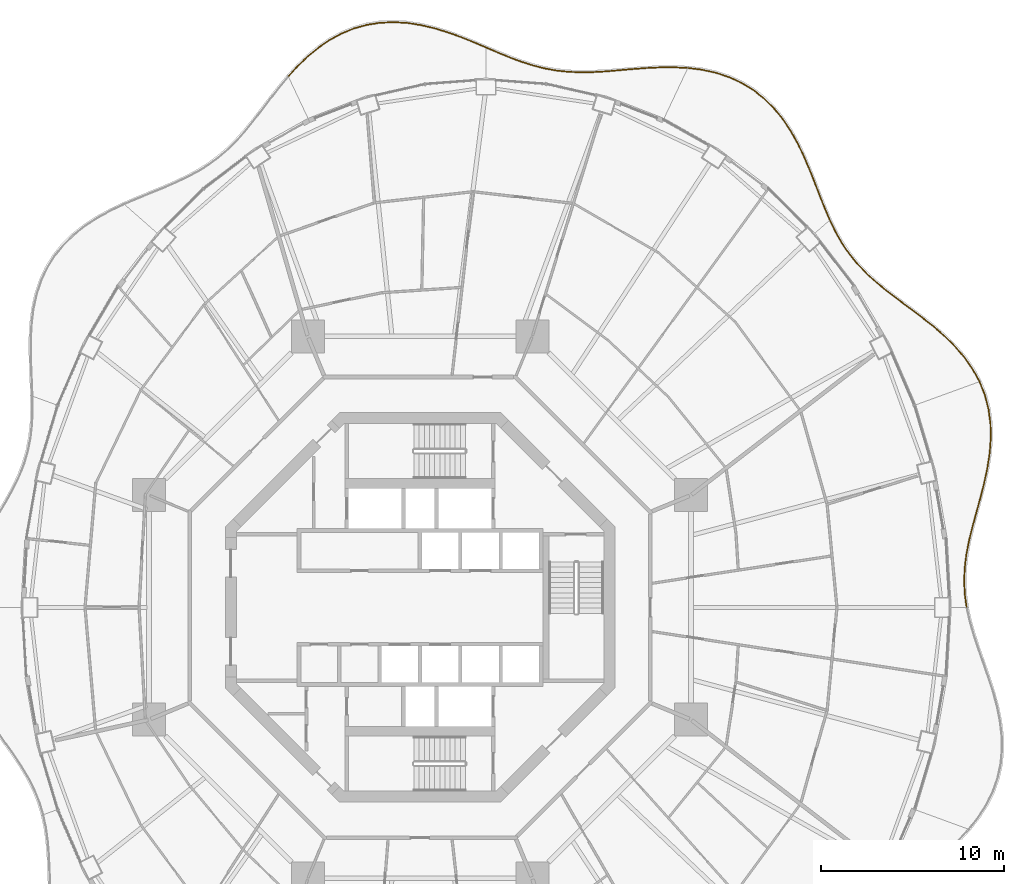
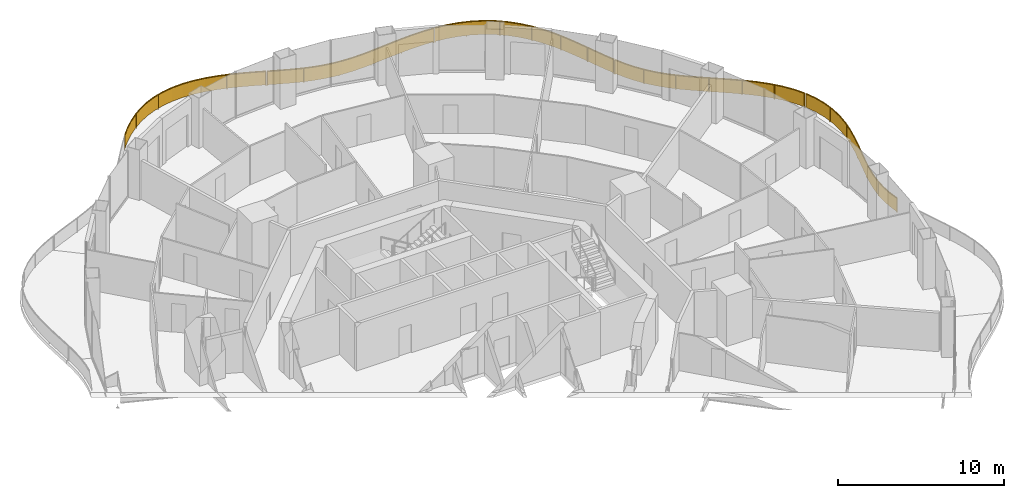
# One storey, part 19 of 19: 5 railings.
"""IFC4 building model written with IfcOpenShell, lengths in metres."""

import ifcopenshell
import ifcopenshell.guid

model = None  # the IFC model being written
_history = None  # IfcOwnerHistory: only IFC2X3 demands one
_inside = {}  # id of a spatial element -> (the spatial element, [elements in it])
_under = {}  # id of a project, library or spatial element -> (it, [spatial elements below it])
_declared = {}  # id of a project -> (the project, [libraries it declares])
_typed = {}  # id of a type object -> (the type object, [elements of that type])
_made_of = {}  # id of a material, layer set ... -> (it, [elements and type objects made of it])


def new_model(schema):
    """Start an empty IFC model of exactly this schema.

    Asked for "IFC4X3", IfcOpenShell would pick the latest addendum, in which some entities
    have other attributes; the version numbers below select the first issue.
    IFC2X3 requires an IfcOwnerHistory on every rooted entity: one is made here for all.
    """
    global model, _history
    if schema == "IFC4X3":
        model = ifcopenshell.file(schema_version=(4, 3, 0, 0))
    else:
        model = ifcopenshell.file(schema=schema)
    _inside.clear()
    _under.clear()
    _declared.clear()
    _typed.clear()
    _made_of.clear()
    _history = None
    if model.schema == "IFC2X3":
        org = make("IfcOrganization", Name="unknown")
        user = make(
            "IfcPersonAndOrganization",
            ThePerson=make("IfcPerson", FamilyName="unknown"),
            TheOrganization=org,
        )
        app = make(
            "IfcApplication",
            ApplicationDeveloper=org,
            Version="unknown",
            ApplicationFullName="unknown",
            ApplicationIdentifier="unknown",
        )
        _history = make(
            "IfcOwnerHistory",
            OwningUser=user,
            OwningApplication=app,
            ChangeAction="ADDED",
            CreationDate=0,
        )
    return model


def make(cls, **values):
    """One entity of the class cls with the attributes given. An attribute that is None is left unset."""
    return model.create_entity(
        cls, **{name: value for name, value in values.items() if value is not None}
    )


def rooted(cls, **values):
    """An entity with a GlobalId (a new one), such as an element, a storey or a relation."""
    return make(cls, GlobalId=ifcopenshell.guid.new(), OwnerHistory=_history, **values)


def si_unit(unit_type, name, prefix=None):
    """IfcSIUnit, for example si_unit("LENGTHUNIT", "METRE", prefix="MILLI")."""
    return make("IfcSIUnit", UnitType=unit_type, Prefix=prefix, Name=name)


def assignment(units):
    """IfcUnitAssignment: the units of a project."""
    return None if units is None else make("IfcUnitAssignment", Units=units)


def point(xyz):
    """IfcCartesianPoint."""
    return None if xyz is None else make("IfcCartesianPoint", Coordinates=xyz)


def direction(xyz):
    """IfcDirection."""
    return None if xyz is None else make("IfcDirection", DirectionRatios=xyz)


def frame(location, z_axis=None, x_axis=None):
    """IfcAxis2Placement3D, a coordinate frame: its origin and axes. An axis left out is left unset."""
    return make(
        "IfcAxis2Placement3D",
        Location=point(location),
        Axis=direction(z_axis),
        RefDirection=direction(x_axis),
    )


def frame_2d(location, x_axis=None):
    """IfcAxis2Placement2D, a coordinate frame in the plane: its origin and x axis."""
    return make(
        "IfcAxis2Placement2D", Location=point(location), RefDirection=direction(x_axis)
    )


def origin():
    """The frame at (0, 0, 0) with its axes left unset."""
    return frame((0.0, 0.0, 0.0))


def origin_2d():
    """The frame at (0, 0) in the plane with its x axis left unset."""
    return frame_2d((0.0, 0.0))


def place(relative_to, where):
    """IfcLocalPlacement: puts the frame where relative to a parent placement (None: the world)."""
    return make(
        "IfcLocalPlacement", PlacementRelTo=relative_to, RelativePlacement=where
    )


def context(
    kind, dimensions, precision=None, world=None, true_north=None, identifier=None
):
    """IfcGeometricRepresentationContext, for example the 3D "Model" context."""
    return make(
        "IfcGeometricRepresentationContext",
        ContextIdentifier=identifier,
        ContextType=kind,
        CoordinateSpaceDimension=dimensions,
        Precision=precision,
        WorldCoordinateSystem=world,
        TrueNorth=true_north,
    )


def subcontext(parent, identifier, kind, view, scale=None):
    """IfcGeometricRepresentationSubContext, for example "Body" below "Model"."""
    return make(
        "IfcGeometricRepresentationSubContext",
        ContextIdentifier=identifier,
        ContextType=kind,
        ParentContext=parent,
        TargetScale=scale,
        TargetView=view,
    )


def project(units=None, contexts=None):
    """IfcProject with its units and contexts."""
    return rooted(
        "IfcProject",
        Name="project",
        RepresentationContexts=contexts,
        UnitsInContext=assignment(units),
    )


def spatial(cls, under=None, at=None, **own):
    """A site, building, storey or space (cls), placed at a placement, below another one or the project."""
    s = rooted(cls, ObjectPlacement=at, **own)
    if under is not None:
        _under.setdefault(under.id(), (under, []))[1].append(s)
    return s


def polyline(points):
    """IfcPolyline through the points."""
    return make("IfcPolyline", Points=[point(p) for p in points])


def profile(cls, at=None, kind="AREA", **sizes):
    """A parametric profile (cls). Its sizes go by their IFC names, for example OverallWidth=200.0."""
    return make(cls, ProfileType=kind, Position=at, **sizes)


def rectangle(**sizes):
    """IfcRectangleProfileDef."""
    return profile("IfcRectangleProfileDef", **sizes)


def outline(outer, holes=None, kind="AREA"):
    """IfcArbitraryClosedProfileDef: a profile drawn as a closed curve; with holes, ...WithVoids."""
    if holes is None:
        return make("IfcArbitraryClosedProfileDef", ProfileType=kind, OuterCurve=outer)
    return make(
        "IfcArbitraryProfileDefWithVoids",
        ProfileType=kind,
        OuterCurve=outer,
        InnerCurves=holes,
    )


def extrude(swept, where, along, depth):
    """IfcExtrudedAreaSolid: the profile swept, set in the frame where, extruded along a direction by depth."""
    return make(
        "IfcExtrudedAreaSolid",
        SweptArea=swept,
        Position=where,
        ExtrudedDirection=direction(along),
        Depth=depth,
    )


def shape(context_of_items, identifier, shape_type, items):
    """IfcShapeRepresentation: the items that make up one representation, for example the "Body"."""
    return make(
        "IfcShapeRepresentation",
        ContextOfItems=context_of_items,
        RepresentationIdentifier=identifier,
        RepresentationType=shape_type,
        Items=items,
    )


def material(Name=None, Category=None):
    """IfcMaterial."""
    return make("IfcMaterial", Name=Name, Category=Category)


def made_of(thing, what):
    """Note that an element or type object is made of a material, layer set ...; save() writes the relation."""
    if what is not None:
        _made_of.setdefault(what.id(), (what, []))[1].append(thing)
    return thing


def type_object(cls, material=None, **own):
    """A type object (cls), such as IfcWallType, which elements share."""
    return made_of(rooted(cls, **own), material)


def element(
    cls,
    number,
    at=None,
    inside=None,
    cuts=None,
    type_object=None,
    material=None,
    context=None,
    identifier="Body",
    shape_type=None,
    held_by="IfcProductDefinitionShape",
    body=None,
    shapes=None,
    **own,
):
    """One element of the class cls, such as IfcWall. Its Tag is "e" and its number.

    at: its placement. inside: the storey or other place that contains it. cuts: it is an
    opening in that element (IfcRelVoidsElement). A single representation is given by context,
    identifier, shape_type and body (its items); several are given by shapes. held_by: the class
    of the entity that holds the representations. save() writes the other relations.
    """
    e = rooted(cls, Tag="e%d" % number, ObjectPlacement=at, **own)
    if body is not None:
        shapes = [shape(context, identifier, shape_type, body)]
    if shapes is not None:
        e.Representation = make(held_by, Representations=shapes)
    if inside is not None:
        _inside.setdefault(inside.id(), (inside, []))[1].append(e)
    if cuts is not None:
        rooted(
            "IfcRelVoidsElement", RelatingBuildingElement=cuts, RelatedOpeningElement=e
        )
    if type_object is not None:
        _typed.setdefault(type_object.id(), (type_object, []))[1].append(e)
    return made_of(e, material)


def aggregate(whole, parts):
    """IfcRelAggregates: a whole, such as a stair, and the parts it consists of."""
    return rooted("IfcRelAggregates", RelatingObject=whole, RelatedObjects=parts)


def save(model, path):
    """Write the relations noted so far, then the file.

    IfcRelAggregates (storeys below a building ...), IfcRelContainedInSpatialStructure (elements
    in a storey), IfcRelDefinesByType, IfcRelAssociatesMaterial and IfcRelDeclares: one each for
    every whole, place, type object, material and project.
    """
    for whole, parts in _under.values():
        aggregate(whole, parts)
    for where, things in _inside.values():
        rooted(
            "IfcRelContainedInSpatialStructure",
            RelatedElements=things,
            RelatingStructure=where,
        )
    for kind, things in _typed.values():
        rooted("IfcRelDefinesByType", RelatedObjects=things, RelatingType=kind)
    for what, things in _made_of.values():
        rooted("IfcRelAssociatesMaterial", RelatedObjects=things, RelatingMaterial=what)
    for by, libraries in _declared.values():
        rooted("IfcRelDeclares", RelatingContext=by, RelatedDefinitions=libraries)
    model.write(path)


model = new_model("IFC4")

# Units and contexts
model_context = context("Model", 3, precision=1e-05, world=origin(), true_north=direction((0.0, 1.0)))
body_context = subcontext(model_context, "Body", "Model", "MODEL_VIEW")
ifc_project = project(units=[si_unit("LENGTHUNIT", "METRE"), si_unit("AREAUNIT", "SQUARE_METRE"), si_unit("VOLUMEUNIT", "CUBIC_METRE"), si_unit("PLANEANGLEUNIT", "RADIAN"), si_unit("MASSUNIT", "GRAM", prefix="KILO")], contexts=[model_context])

# Site, building, storey
site_placement = place(None, origin())
site = spatial("IfcSite", under=ifc_project, at=site_placement, CompositionType="ELEMENT")
building_placement = place(site_placement, origin())
building = spatial("IfcBuilding", under=site, at=building_placement, Name="Nagisa Residences", CompositionType="ELEMENT")
storey_placement = place(building_placement, frame((0.0, 0.0, 195.5)))
storey = spatial("IfcBuildingStorey", under=building, at=storey_placement, Name="L49", CompositionType="ELEMENT", Elevation=195.5)

# Railings
ifc_material = material(Name="Stainless steel 316", Category="steel")
railing_type = type_object("IfcRailingType", Name="BALCONY GUARD 1100", PredefinedType="BALUSTRADE", material=ifc_material)
railing_1_placement = place(storey_placement, frame((29.808837890625, 0.03466796875, 0.0)))
element("IfcRailing", 1, at=railing_1_placement, inside=storey, type_object=railing_type, Name="guard:L49:bal00-0", PredefinedType="BALUSTRADE", context=body_context, shape_type="SweptSolid", body=[
    extrude(outline(polyline([(-0.119384765625, 0.67919921875), (-0.02490234375, -0.00341796875), (0.02490234375, 0.00341796875), (-0.069580078125, 0.68408203125), (-0.104248046875, 1.404052734375), (-0.073974609375, 2.128173828125), (0.017578125, 2.861572265625), (0.162109375, 3.607666015625), (0.348876953125, 4.35546875), (0.55908203125, 5.134033203125), (0.776611328125, 5.928466796875), (0.982421875, 6.737060546875), (1.157470703125, 7.55517578125), (1.28662109375, 8.3642578125), (1.34716796875, 9.184814453125), (1.3291015625, 9.99609375), (1.22314453125, 10.789794921875), (1.023193359375, 11.55908203125), (0.745849609375, 12.2529296875), (0.699462890625, 12.234375), (0.975341796875, 11.54345703125), (1.173828125, 10.780029296875), (1.279296875, 9.9921875), (1.296875, 9.186279296875), (1.23681640625, 8.3701171875), (1.108154296875, 7.564453125), (0.93359375, 6.748291015625), (0.728271484375, 5.941162109375), (0.5107421875, 5.147216796875), (0.300537109375, 4.3681640625), (0.11328125, 3.618408203125), (-0.03173828125, 2.869384765625), (-0.123779296875, 2.132568359375), (-0.154541015625, 1.404052734375), (-0.119384765625, 0.67919921875)])), frame((0.0, 0.0, 1.050048828125)), (0.0, 0.0, 1.0), 0.050048828125),
    extrude(outline(polyline([(-0.1015625, 0.680908203125), (-0.0068359375, -0.0009765625), (0.0068359375, 0.0009765625), (-0.08740234375, 0.682373046875), (-0.122314453125, 1.404052734375), (-0.091796875, 2.1298828125), (-0.000244140625, 2.8642578125), (0.14453125, 3.611572265625), (0.33154296875, 4.360107421875), (0.541748046875, 5.138671875), (0.75927734375, 5.93310546875), (0.96484375, 6.740966796875), (1.1396484375, 7.55859375), (1.268798828125, 8.366455078125), (1.3291015625, 9.185302734375), (1.311279296875, 9.99462890625), (1.205322265625, 10.786376953125), (1.005859375, 11.553466796875), (0.729248046875, 12.246337890625), (0.716064453125, 12.240966796875), (0.99267578125, 11.549072265625), (1.191650390625, 10.783447265625), (1.297119140625, 9.99365234375), (1.31494140625, 9.185791015625), (1.254638671875, 8.367919921875), (1.1259765625, 7.56103515625), (0.951171875, 6.744384765625), (0.74560546875, 5.9365234375), (0.528076171875, 5.142578125), (0.31787109375, 4.363525390625), (0.130859375, 3.614501953125), (-0.013916015625, 2.86669921875), (-0.10595703125, 2.130859375), (-0.136474609375, 1.404052734375), (-0.1015625, 0.680908203125)])), frame((0.0, 0.0, 0.06005859375)), (0.0, 0.0, 1.0), 0.989990234375),
    extrude(rectangle(XDim=0.0400390625, YDim=0.0400390625, at=origin_2d()), origin(), (0.0, 0.0, 1.0), 1.050048828125),
    extrude(rectangle(XDim=0.0400390625, YDim=0.0400390625, at=origin_2d()), frame((-0.101318359375, 2.074462890625, 0.0)), (0.0, 0.0, 1.0), 1.050048828125),
    extrude(rectangle(XDim=0.0400390625, YDim=0.0400390625, at=origin_2d()), frame((0.2646484375, 4.121337890625, 0.0)), (0.0, 0.0, 1.0), 1.050048828125),
    extrude(rectangle(XDim=0.0400390625, YDim=0.0400390625, at=origin_2d()), frame((0.802978515625, 6.133056640625, 0.0)), (0.0, 0.0, 1.0), 1.050048828125),
    extrude(rectangle(XDim=0.0400390625, YDim=0.0400390625, at=origin_2d()), frame((1.230224609375, 8.169677734375, 0.0)), (0.0, 0.0, 1.0), 1.050048828125),
    extrude(rectangle(XDim=0.0400390625, YDim=0.0400390625, at=origin_2d()), frame((1.270751953125, 10.244873046875, 0.0)), (0.0, 0.0, 1.0), 1.050048828125),
    extrude(rectangle(XDim=0.0400390625, YDim=0.0400390625, at=origin_2d()), frame((0.72265625, 12.24365234375, 0.0)), (0.0, 0.0, 1.0), 1.050048828125),
])
railing_2_placement = place(storey_placement, frame((30.498291015625, 12.348388671875, 0.0)))
element("IfcRailing", 2, at=railing_2_placement, inside=storey, type_object=railing_type, Name="guard:L49:bal01-0", PredefinedType="BALUSTRADE", context=body_context, shape_type="SweptSolid", body=[
    extrude(outline(polyline([(-0.37060546875, 0.62451171875), (-0.02197265625, -0.011962890625), (0.02197265625, 0.011962890625), (-0.328125, 0.65087890625), (-0.778564453125, 1.294677734375), (-1.296875, 1.900390625), (-1.869873046875, 2.46923828125), (-2.48291015625, 3.004638671875), (-3.113037109375, 3.49853515625), (-3.75732421875, 3.984130859375), (-4.393798828125, 4.456787109375), (-5.0087890625, 4.925537109375), (-5.59033203125, 5.400390625), (-6.121826171875, 5.8779296875), (-6.6142578125, 6.3916015625), (-7.05810546875, 6.93603515625), (-7.454833984375, 7.516845703125), (-7.8095703125, 8.136474609375), (-8.111083984375, 8.756591796875), (-8.156005859375, 8.734619140625), (-7.85400390625, 8.113037109375), (-7.497314453125, 7.490478515625), (-7.09814453125, 6.90625), (-6.65185546875, 6.3583984375), (-6.156494140625, 5.841796875), (-5.623046875, 5.3623046875), (-5.03955078125, 4.886474609375), (-4.424072265625, 4.416748046875), (-3.787109375, 3.944091796875), (-3.143310546875, 3.458984375), (-2.5146484375, 2.966064453125), (-1.904052734375, 2.4326171875), (-1.33349609375, 1.8662109375), (-0.818115234375, 1.263916015625), (-0.37060546875, 0.62451171875)])), frame((0.0, 0.0, 1.050048828125)), (0.0, 0.0, 1.0), 0.050048828125),
    extrude(outline(polyline([(-0.355224609375, 0.634033203125), (-0.006103515625, -0.00341796875), (0.006103515625, 0.00341796875), (-0.343505859375, 0.641357421875), (-0.792724609375, 1.28369140625), (-1.31005859375, 1.88818359375), (-1.882080078125, 2.4560546875), (-2.494384765625, 2.99072265625), (-3.1240234375, 3.484375), (-3.76806640625, 3.9697265625), (-4.40478515625, 4.4423828125), (-5.019775390625, 4.91162109375), (-5.60205078125, 5.38671875), (-6.13427734375, 5.864990234375), (-6.6279296875, 6.379638671875), (-7.072509765625, 6.92529296875), (-7.47021484375, 7.50732421875), (-7.82568359375, 8.1279296875), (-8.127197265625, 8.748779296875), (-8.139892578125, 8.742431640625), (-7.837890625, 8.12158203125), (-7.48193359375, 7.5), (-7.083740234375, 6.9169921875), (-6.63818359375, 6.370361328125), (-6.14404296875, 5.854736328125), (-5.611328125, 5.3759765625), (-5.028564453125, 4.900390625), (-4.4130859375, 4.43115234375), (-3.7763671875, 3.95849609375), (-3.13232421875, 3.47314453125), (-2.503173828125, 2.97998046875), (-1.891845703125, 2.44580078125), (-1.3203125, 1.87841796875), (-0.803955078125, 1.27490234375), (-0.355224609375, 0.634033203125)])), frame((0.0, 0.0, 0.06005859375)), (0.0, 0.0, 1.0), 0.989990234375),
    extrude(rectangle(XDim=0.0400390625, YDim=0.0400390625, at=origin_2d()), origin(), (0.0, 0.0, 1.0), 1.050048828125),
    extrude(rectangle(XDim=0.0400390625, YDim=0.0400390625, at=origin_2d()), frame((-1.126953125, 1.663330078125, 0.0)), (0.0, 0.0, 1.0), 1.050048828125),
    extrude(rectangle(XDim=0.0400390625, YDim=0.0400390625, at=origin_2d()), frame((-2.583740234375, 3.052001953125, 0.0)), (0.0, 0.0, 1.0), 1.050048828125),
    extrude(rectangle(XDim=0.0400390625, YDim=0.0400390625, at=origin_2d()), frame((-4.187744140625, 4.2724609375, 0.0)), (0.0, 0.0, 1.0), 1.050048828125),
    extrude(rectangle(XDim=0.0400390625, YDim=0.0400390625, at=origin_2d()), frame((-5.76611328125, 5.524658203125, 0.0)), (0.0, 0.0, 1.0), 1.050048828125),
    extrude(rectangle(XDim=0.0400390625, YDim=0.0400390625, at=origin_2d()), frame((-7.13232421875, 7.000244140625, 0.0)), (0.0, 0.0, 1.0), 1.050048828125),
    extrude(rectangle(XDim=0.0400390625, YDim=0.0400390625, at=origin_2d()), frame((-8.133544921875, 8.74560546875, 0.0)), (0.0, 0.0, 1.0), 1.050048828125),
])
railing_3_placement = place(storey_placement, frame((22.336669921875, 21.160888671875, 0.0)))
element("IfcRailing", 3, at=railing_3_placement, inside=storey, type_object=railing_type, Name="guard:L49:bal02-0", PredefinedType="BALUSTRADE", context=body_context, shape_type="SweptSolid", body=[
    extrude(outline(polyline([(-0.2890625, 0.612548828125), (-0.02294921875, -0.009765625), (0.02294921875, 0.009765625), (-0.24267578125, 0.631591796875), (-0.515869140625, 1.320068359375), (-0.78955078125, 2.028564453125), (-1.075439453125, 2.747802734375), (-1.384521484375, 3.466796875), (-1.71484375, 4.162841796875), (-2.099609375, 4.844482421875), (-2.532470703125, 5.48876953125), (-3.018310546875, 6.083740234375), (-3.55859375, 6.619384765625), (-4.140869140625, 7.078857421875), (-4.783447265625, 7.4716796875), (-5.472900390625, 7.788330078125), (-6.20068359375, 8.0283203125), (-6.9580078125, 8.194580078125), (-7.68896484375, 8.28515625), (-7.6953125, 8.2353515625), (-6.96630859375, 8.145263671875), (-6.2138671875, 7.97998046875), (-5.491455078125, 7.741455078125), (-4.806884765625, 7.42724609375), (-4.169677734375, 7.037841796875), (-3.591796875, 6.581787109375), (-3.055419921875, 6.050048828125), (-2.572509765625, 5.458984375), (-2.14208984375, 4.818115234375), (-1.75927734375, 4.139892578125), (-1.429931640625, 3.4462890625), (-1.121826171875, 2.728759765625), (-0.8359375, 2.010498046875), (-0.562255859375, 1.302001953125), (-0.2890625, 0.612548828125)])), frame((0.0, 0.0, 1.050048828125)), (0.0, 0.0, 1.0), 0.050048828125),
    extrude(outline(polyline([(-0.2724609375, 0.619384765625), (-0.00634765625, -0.002685546875), (0.00634765625, 0.002685546875), (-0.25927734375, 0.624755859375), (-0.532470703125, 1.3134765625), (-0.80615234375, 2.02197265625), (-1.09228515625, 2.740966796875), (-1.40087890625, 3.45947265625), (-1.73095703125, 4.154541015625), (-2.114990234375, 4.8349609375), (-2.546875, 5.47802734375), (-3.03173828125, 6.071533203125), (-3.570556640625, 6.60595703125), (-4.1513671875, 7.064208984375), (-4.791748046875, 7.45556640625), (-5.4794921875, 7.771484375), (-6.205322265625, 8.010986328125), (-6.9609375, 8.1767578125), (-7.691162109375, 8.26708984375), (-7.693115234375, 8.25341796875), (-6.96337890625, 8.1630859375), (-6.209228515625, 7.997314453125), (-5.48486328125, 7.75830078125), (-4.798583984375, 7.443359375), (-4.1591796875, 7.052490234375), (-3.579833984375, 6.59521484375), (-3.0419921875, 6.062255859375), (-2.55810546875, 5.4697265625), (-2.126708984375, 4.82763671875), (-1.7431640625, 4.148193359375), (-1.41357421875, 3.45361328125), (-1.10498046875, 2.735595703125), (-0.8193359375, 2.01708984375), (-0.545654296875, 1.30859375), (-0.2724609375, 0.619384765625)])), frame((0.0, 0.0, 0.06005859375)), (0.0, 0.0, 1.0), 0.989990234375),
    extrude(rectangle(XDim=0.0400390625, YDim=0.0400390625, at=origin_2d()), origin(), (0.0, 0.0, 1.0), 1.050048828125),
    extrude(rectangle(XDim=0.0400390625, YDim=0.0400390625, at=origin_2d()), frame((-0.754638671875, 1.869384765625, 0.0)), (0.0, 0.0, 1.0), 1.050048828125),
    extrude(rectangle(XDim=0.0400390625, YDim=0.0400390625, at=origin_2d()), frame((-1.535888671875, 3.7275390625, 0.0)), (0.0, 0.0, 1.0), 1.050048828125),
    extrude(rectangle(XDim=0.0400390625, YDim=0.0400390625, at=origin_2d()), frame((-2.548095703125, 5.46728515625, 0.0)), (0.0, 0.0, 1.0), 1.050048828125),
    extrude(rectangle(XDim=0.0400390625, YDim=0.0400390625, at=origin_2d()), frame((-3.95556640625, 6.900634765625, 0.0)), (0.0, 0.0, 1.0), 1.050048828125),
    extrude(rectangle(XDim=0.0400390625, YDim=0.0400390625, at=origin_2d()), frame((-5.72509765625, 7.844970703125, 0.0)), (0.0, 0.0, 1.0), 1.050048828125),
    extrude(rectangle(XDim=0.0400390625, YDim=0.0400390625, at=origin_2d()), frame((-7.692138671875, 8.26025390625, 0.0)), (0.0, 0.0, 1.0), 1.050048828125),
])
railing_4_placement = place(storey_placement, frame((14.5673828125, 29.427001953125, 0.0)))
element("IfcRailing", 4, at=railing_4_placement, inside=storey, type_object=railing_type, Name="guard:L49:bal03-0", PredefinedType="BALUSTRADE", context=body_context, shape_type="SweptSolid", body=[
    extrude(outline(polyline([(-0.712890625, 0.010009765625), (-0.001220703125, -0.02490234375), (0.001220703125, 0.02490234375), (-0.7119140625, 0.060302734375), (-1.475341796875, 0.055908203125), (-2.234130859375, 0.019287109375), (-2.98291015625, -0.037109375), (-3.716796875, -0.100341796875), (-4.416015625, -0.16259765625), (-5.11279296875, -0.201904296875), (-5.791015625, -0.212890625), (-6.452880859375, -0.187744140625), (-7.101318359375, -0.119873046875), (-7.7236328125, -0.009521484375), (-8.359619140625, 0.149169921875), (-8.997314453125, 0.350341796875), (-9.6416015625, 0.588623046875), (-10.296630859375, 0.855224609375), (-10.92333984375, 1.12353515625), (-10.94287109375, 1.07763671875), (-10.316162109375, 0.808837890625), (-9.65966796875, 0.541748046875), (-9.013427734375, 0.302978515625), (-8.373291015625, 0.100830078125), (-7.73388671875, -0.058349609375), (-7.108154296875, -0.169677734375), (-6.456298828125, -0.237548828125), (-5.79150390625, -0.26318359375), (-5.11083984375, -0.251708984375), (-4.41259765625, -0.21240234375), (-3.71240234375, -0.150146484375), (-2.97900390625, -0.0869140625), (-2.231201171875, -0.030517578125), (-1.473876953125, 0.006103515625), (-0.712890625, 0.010009765625)])), frame((0.0, 0.0, 1.050048828125)), (0.0, 0.0, 1.0), 0.050048828125),
    extrude(outline(polyline([(-0.712646484375, 0.028076171875), (-0.000244140625, -0.007080078125), (0.000244140625, 0.007080078125), (-0.712158203125, 0.042236328125), (-1.474853515625, 0.0380859375), (-2.233154296875, 0.00146484375), (-2.9814453125, -0.054931640625), (-3.71533203125, -0.1181640625), (-4.414794921875, -0.180419921875), (-5.112060546875, -0.2197265625), (-5.791259765625, -0.23095703125), (-6.4541015625, -0.20556640625), (-7.103759765625, -0.137939453125), (-7.727294921875, -0.027099609375), (-8.364501953125, 0.1318359375), (-9.003173828125, 0.333251953125), (-9.648193359375, 0.57177734375), (-10.3037109375, 0.83837890625), (-10.930419921875, 1.10693359375), (-10.935791015625, 1.09423828125), (-10.30908203125, 0.82568359375), (-9.653076171875, 0.55859375), (-9.007568359375, 0.320068359375), (-8.368408203125, 0.1181640625), (-7.730224609375, -0.040771484375), (-7.105712890625, -0.151611328125), (-6.455078125, -0.2197265625), (-5.791259765625, -0.2451171875), (-5.111572265625, -0.23388671875), (-4.413818359375, -0.194580078125), (-3.7138671875, -0.13232421875), (-2.98046875, -0.069091796875), (-2.232177734375, -0.0126953125), (-1.474365234375, 0.02392578125), (-0.712646484375, 0.028076171875)])), frame((0.0, 0.0, 0.06005859375)), (0.0, 0.0, 1.0), 0.989990234375),
    extrude(rectangle(XDim=0.0400390625, YDim=0.0400390625, at=origin_2d()), origin(), (0.0, 0.0, 1.0), 1.050048828125),
    extrude(rectangle(XDim=0.0400390625, YDim=0.0400390625, at=origin_2d()), frame((-2.229736328125, -0.00537109375, 0.0)), (0.0, 0.0, 1.0), 1.050048828125),
    extrude(rectangle(XDim=0.0400390625, YDim=0.0400390625, at=origin_2d()), frame((-4.453857421875, -0.189697265625, 0.0)), (0.0, 0.0, 1.0), 1.050048828125),
    extrude(rectangle(XDim=0.0400390625, YDim=0.0400390625, at=origin_2d()), frame((-6.6826171875, -0.18896484375, 0.0)), (0.0, 0.0, 1.0), 1.050048828125),
    extrude(rectangle(XDim=0.0400390625, YDim=0.0400390625, at=origin_2d()), frame((-8.858642578125, 0.2802734375, 0.0)), (0.0, 0.0, 1.0), 1.050048828125),
    extrude(rectangle(XDim=0.0400390625, YDim=0.0400390625, at=origin_2d()), frame((-10.93310546875, 1.1005859375, 0.0)), (0.0, 0.0, 1.0), 1.050048828125),
])
railing_5_placement = place(storey_placement, frame((3.565673828125, 30.55859375, 0.0)))
element("IfcRailing", 5, at=railing_5_placement, inside=storey, type_object=railing_type, Name="guard:L49:bal04-0", PredefinedType="BALUSTRADE", context=body_context, shape_type="SweptSolid", body=[
    extrude(outline(polyline([(-0.65234375, 0.251220703125), (-0.009765625, -0.02294921875), (0.009765625, 0.02294921875), (-0.63330078125, 0.297607421875), (-1.336669921875, 0.578857421875), (-2.056640625, 0.837890625), (-2.79052734375, 1.060546875), (-3.533935546875, 1.23388671875), (-4.267333984375, 1.348876953125), (-5.016845703125, 1.39111328125), (-5.759033203125, 1.35595703125), (-6.4873046875, 1.2392578125), (-7.196044921875, 1.040283203125), (-7.861572265625, 0.765869140625), (-8.513671875, 0.410888671875), (-9.132080078125, -0.01220703125), (-9.715087890625, -0.493408203125), (-10.263671875, -1.021484375), (-10.746337890625, -1.551025390625), (-10.709228515625, -1.584716796875), (-10.22802734375, -1.056640625), (-9.681884765625, -0.531005859375), (-9.101806640625, -0.05224609375), (-8.4873046875, 0.367919921875), (-7.840087890625, 0.720458984375), (-7.179443359375, 0.992919921875), (-6.4765625, 1.1904296875), (-5.753662109375, 1.30615234375), (-5.016845703125, 1.3408203125), (-4.272705078125, 1.299072265625), (-3.543701171875, 1.1845703125), (-2.8037109375, 1.01220703125), (-2.072265625, 0.79052734375), (-1.354248046875, 0.531982421875), (-0.65234375, 0.251220703125)])), frame((0.0, 0.0, 1.050048828125)), (0.0, 0.0, 1.0), 0.050048828125),
    extrude(outline(polyline([(-0.6455078125, 0.26806640625), (-0.002685546875, -0.00634765625), (0.002685546875, 0.00634765625), (-0.64013671875, 0.28076171875), (-1.343017578125, 0.56201171875), (-2.062255859375, 0.82080078125), (-2.79541015625, 1.043212890625), (-3.53759765625, 1.216064453125), (-4.269287109375, 1.3310546875), (-5.016845703125, 1.373046875), (-5.757080078125, 1.338134765625), (-6.4833984375, 1.2216796875), (-7.18994140625, 1.023193359375), (-7.853759765625, 0.74951171875), (-8.504150390625, 0.395263671875), (-9.12109375, -0.026611328125), (-9.703125, -0.507080078125), (-10.2509765625, -1.0341796875), (-10.73291015625, -1.563232421875), (-10.72265625, -1.572509765625), (-10.24072265625, -1.0439453125), (-9.69384765625, -0.517333984375), (-9.11279296875, -0.037841796875), (-8.496826171875, 0.383544921875), (-7.847900390625, 0.73681640625), (-7.185546875, 1.010009765625), (-6.48046875, 1.2080078125), (-5.755615234375, 1.323974609375), (-5.016845703125, 1.35888671875), (-4.270751953125, 1.31689453125), (-3.5400390625, 1.202392578125), (-2.798828125, 1.029541015625), (-2.066650390625, 0.8076171875), (-1.347900390625, 0.548828125), (-0.6455078125, 0.26806640625)])), frame((0.0, 0.0, 0.06005859375)), (0.0, 0.0, 1.0), 0.989990234375),
    extrude(rectangle(XDim=0.0400390625, YDim=0.0400390625, at=origin_2d()), origin(), (0.0, 0.0, 1.0), 1.050048828125),
    extrude(rectangle(XDim=0.0400390625, YDim=0.0400390625, at=origin_2d()), frame((-2.213134765625, 0.859375, 0.0)), (0.0, 0.0, 1.0), 1.050048828125),
    extrude(rectangle(XDim=0.0400390625, YDim=0.0400390625, at=origin_2d()), frame((-4.532958984375, 1.3388671875, 0.0)), (0.0, 0.0, 1.0), 1.050048828125),
    extrude(rectangle(XDim=0.0400390625, YDim=0.0400390625, at=origin_2d()), frame((-6.882080078125, 1.1025390625, 0.0)), (0.0, 0.0, 1.0), 1.050048828125),
    extrude(rectangle(XDim=0.0400390625, YDim=0.0400390625, at=origin_2d()), frame((-8.996337890625, 0.05029296875, 0.0)), (0.0, 0.0, 1.0), 1.050048828125),
    extrude(rectangle(XDim=0.0400390625, YDim=0.0400390625, at=origin_2d()), frame((-10.727783203125, -1.56787109375, 0.0)), (0.0, 0.0, 1.0), 1.050048828125),
])

save(model, "model.ifc")
